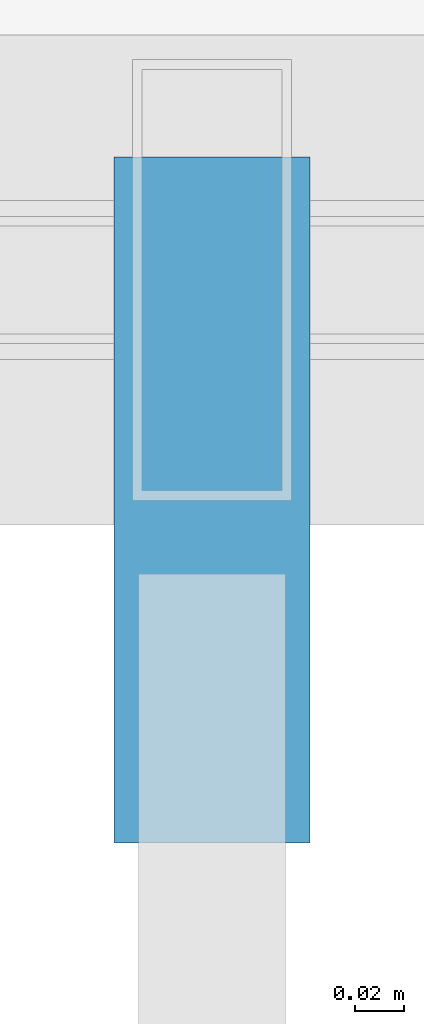
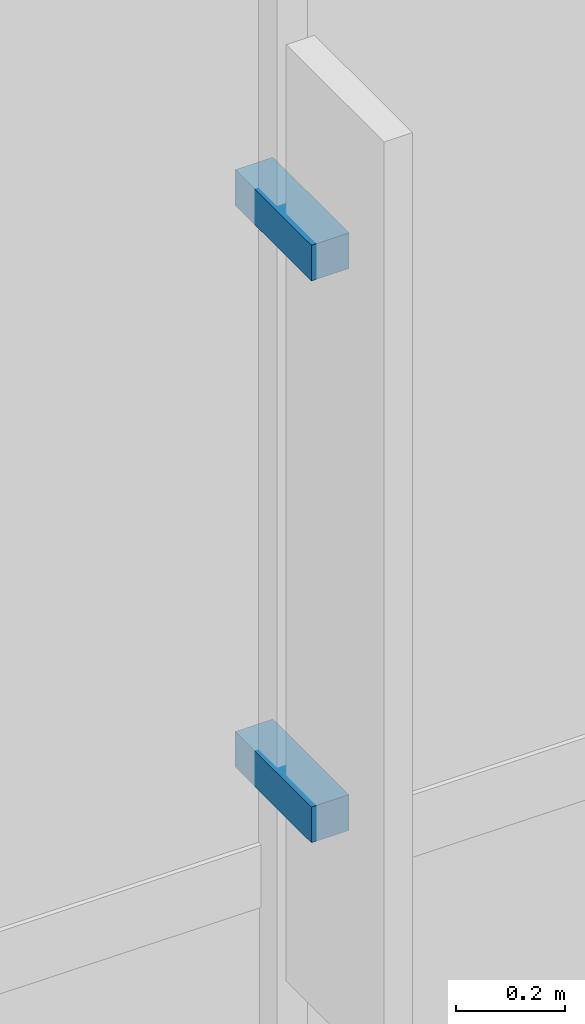
# One storey, part 106 of 113: 2 discrete accessories.
"""IFC4 building model written with IfcOpenShell, lengths in metres."""

from ifc_helpers import new_model, si_unit, direction, frame, origin, origin_2d, place, context, subcontext, project, spatial, rectangle, extrude, material, type_object, element, save


model = new_model("IFC4")

# Units and contexts
model_context = context("Model", 3, precision=1e-05, world=origin(), true_north=direction((0.0, 1.0)))
body_context = subcontext(model_context, "Body", "Model", "MODEL_VIEW")
ifc_project = project(units=[si_unit("LENGTHUNIT", "METRE"), si_unit("AREAUNIT", "SQUARE_METRE"), si_unit("VOLUMEUNIT", "CUBIC_METRE"), si_unit("PLANEANGLEUNIT", "RADIAN"), si_unit("MASSUNIT", "GRAM", prefix="KILO")], contexts=[model_context])

# Site, building, storey
site_placement = place(None, origin())
site = spatial("IfcSite", under=ifc_project, at=site_placement, CompositionType="ELEMENT")
building_placement = place(site_placement, origin())
building = spatial("IfcBuilding", under=site, at=building_placement, Name="Kazanami Central Library", CompositionType="ELEMENT")
storey_placement = place(building_placement, frame((0.0, 0.0, 8.800048828125)))
storey = spatial("IfcBuildingStorey", under=building, at=storey_placement, Name="L03", CompositionType="ELEMENT", Elevation=8.800048828125)

# Discrete accessories
ifc_material = material(Name="Stainless Steel SUS304", Category="steel")
discrete_accessory_type = type_object("IfcDiscreteAccessoryType", Name="ACC-BRK-1", PredefinedType="BRACKET", material=ifc_material)
for number, where, z_axis, x_axis, name in (
    (1, (138.1083984375, 43.110107421875, 0.977294921875), (0.0, 0.0, 1.0), (1.0, 0.0, 0.0), "Solar Fin Outrigger Bracket L03 S-G-15.1.1"),
    (2, (138.1083984375, 43.110107421875, 2.2373046875), (0.0, 0.0, 1.0), (1.0, 0.0, 0.0), "Solar Fin Outrigger Bracket L03 S-G-15.1.2"),
):
    element("IfcDiscreteAccessory", number, at=place(storey_placement, frame(where, z_axis=z_axis, x_axis=x_axis)), inside=storey, type_object=discrete_accessory_type, Name=name, PredefinedType="BRACKET", context=body_context, shape_type="SweptSolid", body=[
        extrude(rectangle(XDim=0.080078125, YDim=0.280029296875, at=origin_2d()), origin(), (0.0, 0.0, 1.0), 0.080078125),
    ])

save(model, "model.ifc")
